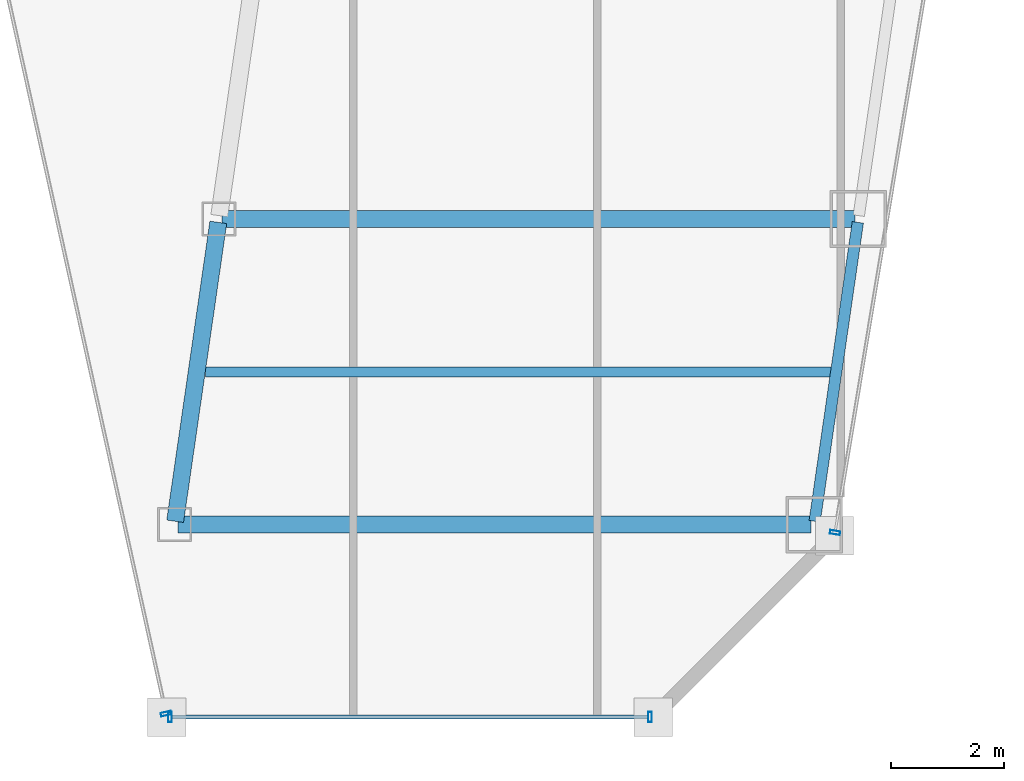
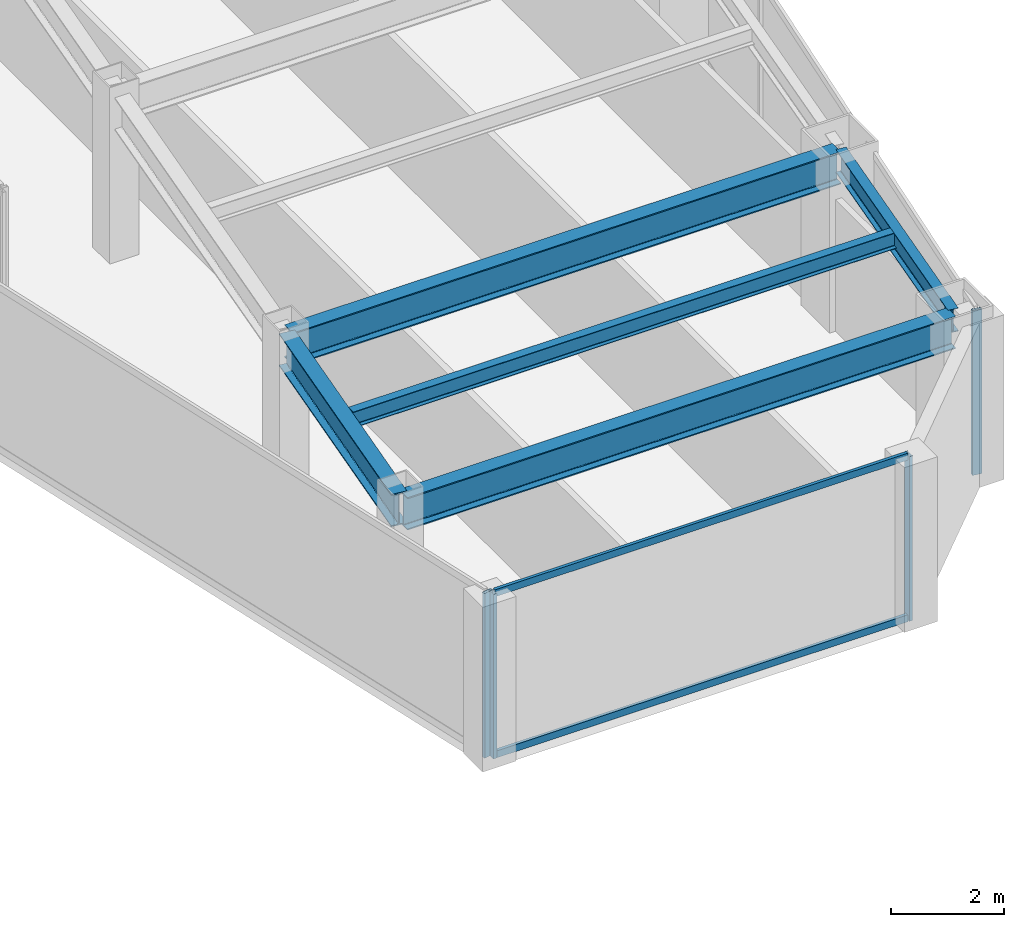
# One storey, part 14 of 37: 6 members, 5 beams, 3 elements without a shape of their own.
"""IFC4 building model written with IfcOpenShell, lengths in metres."""

from ifc_helpers import new_model, si_unit, direction, frame, origin, origin_2d, place, context, subcontext, project, spatial, hollow_rectangle, i_section, extrude, material, material_profile, profile_set, type_object, element, aggregate, save


model = new_model("IFC4")

# Units and contexts
model_context = context("Model", 3, precision=1e-05, world=origin(), true_north=direction((0.0, 1.0)))
body_context = subcontext(model_context, "Body", "Model", "MODEL_VIEW")
ifc_project = project(units=[si_unit("LENGTHUNIT", "METRE"), si_unit("AREAUNIT", "SQUARE_METRE"), si_unit("VOLUMEUNIT", "CUBIC_METRE"), si_unit("PLANEANGLEUNIT", "RADIAN"), si_unit("MASSUNIT", "GRAM", prefix="KILO")], contexts=[model_context])

# Site, building, storey
site_placement = place(None, origin())
site = spatial("IfcSite", under=ifc_project, at=site_placement, CompositionType="ELEMENT")
building_placement = place(site_placement, origin())
building = spatial("IfcBuilding", under=site, at=building_placement, Name="Saevonmaru Cultural Tower", CompositionType="ELEMENT")
storey_placement = place(building_placement, frame((0.0, 0.0, 144.800048828125)))
storey = spatial("IfcBuildingStorey", under=building, at=storey_placement, Name="L31", CompositionType="ELEMENT", Elevation=144.800048828125)

# Beams
ifc_material_1 = material(Name="Steel SM355", Category="steel")
ifc_material_profile_1 = material_profile(ifc_material_1, i_section(OverallWidth=0.300048828125, OverallDepth=0.699951171875, WebThickness=0.012939453125, FlangeThickness=0.02392578125, FilletRadius=0.02587890625, at=origin_2d()), Name="H-700x300x13x24")
ifc_profile_set_1 = profile_set([ifc_material_profile_1], Name="Steel SM355")
beam_type_1 = type_object("IfcBeamType", Name="BM-G-H700", PredefinedType="BEAM", material=ifc_profile_set_1)
beam_1_placement = place(storey_placement, frame((37.300537109375, 10.659423828125, 3.199951171875), z_axis=(0.142977693794, 0.989725911087, 0.0), x_axis=(-0.989725911087, 0.142977693794, 0.0)))
element("IfcBeam", 1, at=beam_1_placement, inside=storey, type_object=beam_type_1, Name="L31 East Atrium Girder 1", PredefinedType="BEAM", context=body_context, shape_type="SweptSolid", body=[
    extrude(i_section(OverallWidth=0.300048828125, OverallDepth=0.699951171875, WebThickness=0.012939453125, FlangeThickness=0.02392578125, FilletRadius=0.02587890625, at=origin_2d()), origin(), (0.0, 0.0, 1.0), 5.336181640625),
])
for number, where, z_axis, x_axis, name in (
    (2, (37.35205078125, 10.60009765625, 3.199951171875), (1.0, 0.0, 0.0), (0.0, 1.0, 0.0), "L31 East Wing Transverse Girder 1"),
    (3, (38.132080078125, 16.0, 3.199951171875), (1.0, 0.0, 0.0), (0.0, 1.0, 0.0), "L31 East Wing Transverse Girder 2"),
):
    element("IfcBeam", number, at=place(storey_placement, frame(where, z_axis=z_axis, x_axis=x_axis)), inside=storey, type_object=beam_type_1, Name=name, PredefinedType="BEAM", context=body_context, shape_type="SweptSolid", body=[
        extrude(i_section(OverallWidth=0.300048828125, OverallDepth=0.699951171875, WebThickness=0.012939453125, FlangeThickness=0.02392578125, FilletRadius=0.02587890625, at=origin_2d()), origin(), (0.0, 0.0, 1.0), 11.179931640625),
    ])
ifc_material_profile_2 = material_profile(ifc_material_1, i_section(OverallWidth=0.175048828125, OverallDepth=0.35009765625, WebThickness=0.007080078125, FlangeThickness=0.010986328125, FilletRadius=0.012939453125, at=origin_2d()), Name="H-350x175x7x11")
ifc_profile_set_2 = profile_set([ifc_material_profile_2], Name="Steel SM355")
beam_type_2 = type_object("IfcBeamType", Name="BM-J-H350", PredefinedType="JOIST", material=ifc_profile_set_2)
beam_2_placement = place(storey_placement, frame((37.840087890625, 13.300048828125, 3.375), z_axis=(1.0, 0.0, 0.0), x_axis=(0.0, 1.0, 0.0)))
element("IfcBeam", 4, at=beam_2_placement, inside=storey, type_object=beam_type_2, Name="L31 East Wing Floor Joist 1", PredefinedType="JOIST", context=body_context, shape_type="SweptSolid", body=[
    extrude(i_section(OverallWidth=0.175048828125, OverallDepth=0.35009765625, WebThickness=0.007080078125, FlangeThickness=0.010986328125, FilletRadius=0.012939453125, at=origin_2d()), origin(), (0.0, 0.0, 1.0), 11.08203125),
])
ifc_material_profile_3 = material_profile(ifc_material_1, i_section(OverallWidth=0.199951171875, OverallDepth=0.5, WebThickness=0.010009765625, FlangeThickness=0.01611328125, FilletRadius=0.02001953125, at=origin_2d()), Name="H-500x200x10x16")
ifc_profile_set_3 = profile_set([ifc_material_profile_3], Name="Steel SM355")
beam_type_3 = type_object("IfcBeamType", Name="BM-SP-H500", PredefinedType="SPANDREL", material=ifc_profile_set_3)
beam_3_placement = place(storey_placement, frame((48.6005859375, 10.659423828125, 3.300048828125), z_axis=(0.1429328758, 0.989732384544, 0.0), x_axis=(-0.989732384544, 0.1429328758, 0.0)))
element("IfcBeam", 5, at=beam_3_placement, inside=storey, type_object=beam_type_3, Name="L31 East Splayed Spandrel 1", PredefinedType="SPANDREL", context=body_context, shape_type="SweptSolid", body=[
    extrude(i_section(OverallWidth=0.199951171875, OverallDepth=0.5, WebThickness=0.010009765625, FlangeThickness=0.01611328125, FilletRadius=0.02001953125, at=origin_2d()), origin(), (0.0, 0.0, 1.0), 5.3359375),
])

# Curtain wall, member
ifc_material_2 = material(Name="Satin Bronze Anodised Aluminium", Category="aluminium")
curtain_wall_type = type_object("IfcCurtainWallType", Name="CW-TYP-A", PredefinedType="NOTDEFINED", material=ifc_material_2)
curtain_wall_1_placement = place(storey_placement, origin())
curtain_wall_1 = element("IfcCurtainWall", 6, at=curtain_wall_1_placement, inside=storey, type_object=curtain_wall_type, Name="L31 Unitised Curtain Wall E5", PredefinedType="NOTDEFINED")
ifc_material_profile_4 = material_profile(ifc_material_2, hollow_rectangle(XDim=0.06494140625, YDim=0.179931640625, WallThickness=0.00390625, at=origin_2d()), Name="ALU-MULL-180x65x4")
ifc_profile_set_4 = profile_set([ifc_material_profile_4], Name="Satin Bronze Anodised Aluminium")
member_type_1 = type_object("IfcMemberType", Name="ML-CW-180x65", PredefinedType="MULLION", material=ifc_profile_set_4)
member_1_placement = place(storey_placement, frame((37.13818359375, 7.258544921875, 0.0), z_axis=(0.0, 0.0, 1.0), x_axis=(0.215413319953, -0.976522965212, 0.0)))
member_1 = element("IfcMember", 7, at=member_1_placement, type_object=member_type_1, Name="CW-TW-L31-E5 mullion 2", PredefinedType="MULLION", context=body_context, shape_type="SweptSolid", body=[
    extrude(hollow_rectangle(XDim=0.06494140625, YDim=0.179931640625, WallThickness=0.00390625, at=origin_2d()), origin(), (0.0, 0.0, 1.0), 3.550048828125),
])
aggregate(curtain_wall_1, [member_1])

# Curtain wall, members
curtain_wall_2_placement = place(storey_placement, origin())
curtain_wall_2 = element("IfcCurtainWall", 8, at=curtain_wall_2_placement, inside=storey, type_object=curtain_wall_type, Name="L31 Unitised Curtain Wall E6", PredefinedType="NOTDEFINED")
member_2_placement = place(storey_placement, frame((37.211181640625, 7.199951171875, 0.0), z_axis=(0.0, 0.0, 1.0), x_axis=(1.0, 0.0, 0.0)))
member_2 = element("IfcMember", 9, at=member_2_placement, type_object=member_type_1, Name="CW-TW-L31-E6 mullion 1", PredefinedType="MULLION", context=body_context, shape_type="SweptSolid", body=[
    extrude(hollow_rectangle(XDim=0.06494140625, YDim=0.179931640625, WallThickness=0.00390625, at=origin_2d()), origin(), (0.0, 0.0, 1.0), 3.550048828125),
])
member_3_placement = place(storey_placement, frame((45.691162109375, 7.199951171875, 0.0), z_axis=(0.0, 0.0, 1.0), x_axis=(1.0, 0.0, 0.0)))
member_3 = element("IfcMember", 10, at=member_3_placement, type_object=member_type_1, Name="CW-TW-L31-E6 mullion 2", PredefinedType="MULLION", context=body_context, shape_type="SweptSolid", body=[
    extrude(hollow_rectangle(XDim=0.06494140625, YDim=0.179931640625, WallThickness=0.00390625, at=origin_2d()), origin(), (0.0, 0.0, 1.0), 3.550048828125),
])

# Curtain wall, member
curtain_wall_3_placement = place(storey_placement, origin())
curtain_wall_3 = element("IfcCurtainWall", 11, at=curtain_wall_3_placement, inside=storey, type_object=curtain_wall_type, Name="L31 Unitised Curtain Wall E8", PredefinedType="NOTDEFINED")
member_4_placement = place(storey_placement, frame((48.9609375, 10.459228515625, 0.0), z_axis=(0.0, 0.0, 1.0), x_axis=(0.163998702345, 0.986460554523, 0.0)))
member_4 = element("IfcMember", 12, at=member_4_placement, type_object=member_type_1, Name="CW-TW-L31-E8 mullion 1", PredefinedType="MULLION", context=body_context, shape_type="SweptSolid", body=[
    extrude(hollow_rectangle(XDim=0.06494140625, YDim=0.179931640625, WallThickness=0.00390625, at=origin_2d()), origin(), (0.0, 0.0, 1.0), 3.550048828125),
])
aggregate(curtain_wall_3, [member_4])

# Member
ifc_material_profile_5 = material_profile(ifc_material_2, hollow_rectangle(XDim=0.06494140625, YDim=0.14990234375, WallThickness=0.00390625, at=origin_2d()), Name="ALU-TRAN-150x65x4")
ifc_profile_set_5 = profile_set([ifc_material_profile_5], Name="Satin Bronze Anodised Aluminium")
member_type_2 = type_object("IfcMemberType", Name="TR-CW-150x65", PredefinedType="USERDEFINED", material=ifc_profile_set_5)
member_5_placement = place(storey_placement, frame((37.24365234375, 7.199951171875, 0.032470703125), z_axis=(1.0, 0.0, 0.0), x_axis=(0.0, 1.0, 0.0)))
member_5 = element("IfcMember", 13, at=member_5_placement, type_object=member_type_2, Name="CW-TW-L31-E6 transom 1.1", ObjectType="TRANSOM", PredefinedType="USERDEFINED", context=body_context, shape_type="SweptSolid", body=[
    extrude(hollow_rectangle(XDim=0.06494140625, YDim=0.14990234375, WallThickness=0.00390625, at=origin_2d()), origin(), (0.0, 0.0, 1.0), 8.4150390625),
])

member_6_placement = place(storey_placement, frame((37.24365234375, 7.199951171875, 3.517333984375), z_axis=(1.0, 0.0, 0.0), x_axis=(0.0, 1.0, 0.0)))
member_6 = element("IfcMember", 14, at=member_6_placement, type_object=member_type_2, Name="CW-TW-L31-E6 transom 1.2", ObjectType="TRANSOM", PredefinedType="USERDEFINED", context=body_context, shape_type="SweptSolid", body=[
    extrude(hollow_rectangle(XDim=0.06494140625, YDim=0.14990234375, WallThickness=0.00390625, at=origin_2d()), origin(), (0.0, 0.0, 1.0), 8.4150390625),
])

aggregate(curtain_wall_2, [member_2, member_3, member_5, member_6])

save(model, "model.ifc")
